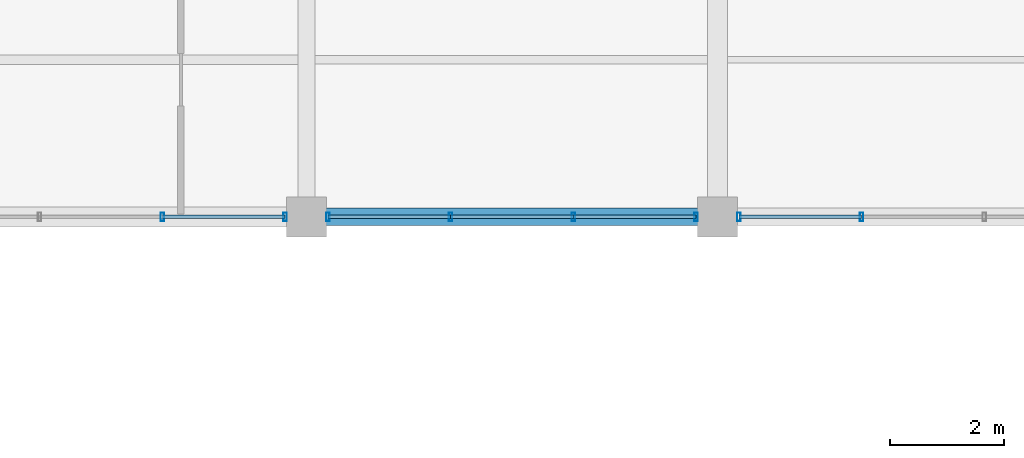
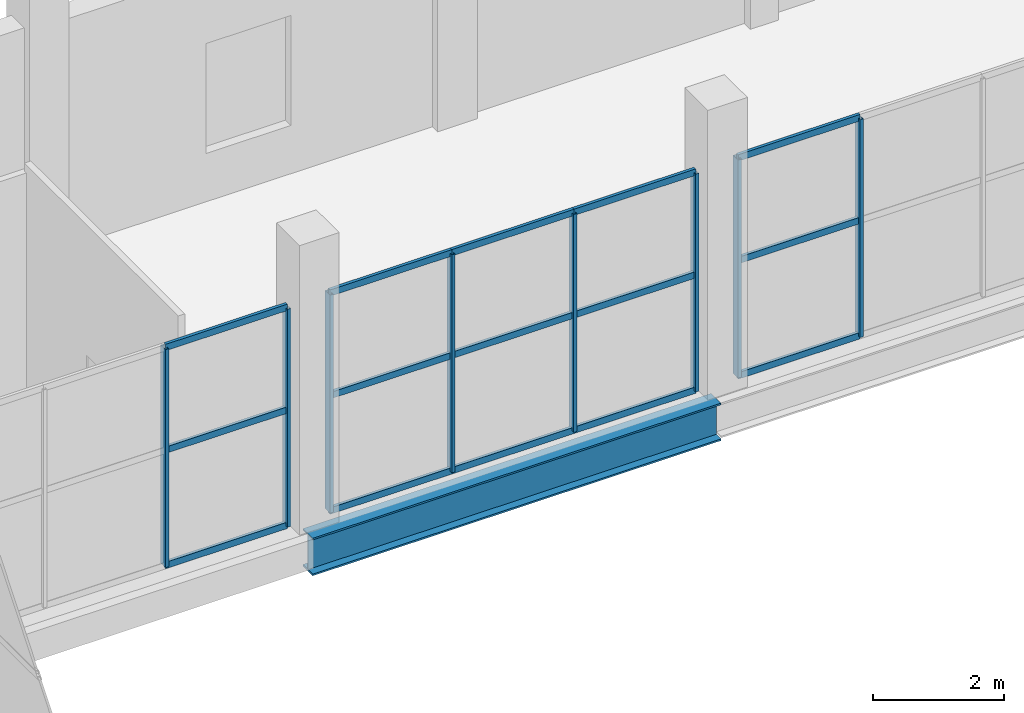
# One storey, part 107 of 147: 23 members, 1 beam, 3 elements without a shape of their own.
"""IFC4 building model written with IfcOpenShell, lengths in metres."""

from ifc_helpers import new_model, si_unit, direction, frame, origin, origin_2d, place, context, subcontext, project, spatial, hollow_rectangle, i_section, extrude, material, layer, layer_set, material_profile, profile_set, type_object, element, aggregate, save


model = new_model("IFC4")

# Units and contexts
model_context = context("Model", 3, precision=1e-05, world=origin(), true_north=direction((0.0, 1.0)))
body_context = subcontext(model_context, "Body", "Model", "MODEL_VIEW")
ifc_project = project(units=[si_unit("LENGTHUNIT", "METRE"), si_unit("AREAUNIT", "SQUARE_METRE"), si_unit("VOLUMEUNIT", "CUBIC_METRE"), si_unit("PLANEANGLEUNIT", "RADIAN"), si_unit("MASSUNIT", "GRAM", prefix="KILO")], contexts=[model_context])

# Site, building, storey
site_placement = place(None, origin())
site = spatial("IfcSite", under=ifc_project, at=site_placement, CompositionType="ELEMENT")
building_placement = place(site_placement, origin())
building = spatial("IfcBuilding", under=site, at=building_placement, Name="Sundgate Opera House", CompositionType="ELEMENT")
storey_placement = place(building_placement, frame((0.0, 0.0, 6.0)))
storey = spatial("IfcBuildingStorey", under=building, at=storey_placement, Name="L01", CompositionType="ELEMENT", Elevation=6.0)

# Beam
ifc_material_1 = material(Name="Steel S355J2", Category="steel")
ifc_material_profile_1 = material_profile(ifc_material_1, i_section(OverallWidth=0.300048828125, OverallDepth=0.699951171875, WebThickness=0.01708984375, FlangeThickness=0.031982421875, at=origin_2d()), Name="HEB 700")
ifc_profile_set_1 = profile_set([ifc_material_profile_1], Name="Steel S355J2")
beam_type = type_object("IfcBeamType", Name="BM-GR-HEB700", PredefinedType="BEAM", material=ifc_profile_set_1)
beam_placement = place(storey_placement, frame((131.39990234375, 111.75, -0.64990234375), z_axis=(1.0, 0.0, 0.0), x_axis=(0.0, 1.0, 0.0)))
element("IfcBeam", 1, at=beam_placement, inside=storey, type_object=beam_type, Name="L01 Primary E-W Girder B1446", PredefinedType="BEAM", context=body_context, shape_type="SweptSolid", body=[
    extrude(i_section(OverallWidth=0.300048828125, OverallDepth=0.699951171875, WebThickness=0.01708984375, FlangeThickness=0.031982421875, at=origin_2d()), origin(), (0.0, 0.0, 1.0), 7.2001953125),
])

# Curtain wall, members
ifc_material_2 = material(Name="Anodized aluminium and low-iron glass", Category="aluminium")
ifc_layer = layer(ifc_material_2, 0.159912109375)
ifc_layer_set = layer_set([ifc_layer], Name="Anodized aluminium and low-iron glass")
curtain_wall_type = type_object("IfcCurtainWallType", Name="CW-STUDIO-DARK", PredefinedType="NOTDEFINED", material=ifc_layer_set)
curtain_wall_1_placement = place(storey_placement, origin())
curtain_wall_1 = element("IfcCurtainWall", 2, at=curtain_wall_1_placement, inside=storey, type_object=curtain_wall_type, Name="L01 Curtain Wall CW095", PredefinedType="NOTDEFINED")
ifc_material_3 = material(Name="Anodized aluminium EN AW-6063", Category="aluminium")
ifc_material_profile_2 = material_profile(ifc_material_3, hollow_rectangle(XDim=0.06005859375, YDim=0.14990234375, WallThickness=0.00390625, at=origin_2d()), Name="CWM 150x60x4")
ifc_profile_set_2 = profile_set([ifc_material_profile_2], Name="Anodized aluminium EN AW-6063")
member_type_1 = type_object("IfcMemberType", Name="CWM-ALU-150x60", PredefinedType="MULLION", material=ifc_profile_set_2)
member_1_placement = place(storey_placement, frame((131.02490234375, 111.75, 0.0), z_axis=(0.0, 0.0, 1.0), x_axis=(1.0, 0.0, 0.0)))
member_1 = element("IfcMember", 3, at=member_1_placement, type_object=member_type_1, Name="CW095 Mullion 1", PredefinedType="MULLION", context=body_context, shape_type="SweptSolid", body=[
    extrude(hollow_rectangle(XDim=0.06005859375, YDim=0.14990234375, WallThickness=0.00390625, at=origin_2d()), origin(), (0.0, 0.0, 1.0), 4.06494140625),
])
member_2_placement = place(storey_placement, frame((128.875, 111.75, 0.0), z_axis=(0.0, 0.0, 1.0), x_axis=(1.0, 0.0, 0.0)))
member_2 = element("IfcMember", 4, at=member_2_placement, type_object=member_type_1, Name="CW095 Mullion 2", PredefinedType="MULLION", context=body_context, shape_type="SweptSolid", body=[
    extrude(hollow_rectangle(XDim=0.06005859375, YDim=0.14990234375, WallThickness=0.00390625, at=origin_2d()), origin(), (0.0, 0.0, 1.0), 4.06494140625),
])

curtain_wall_2_placement = place(storey_placement, origin())
curtain_wall_2 = element("IfcCurtainWall", 5, at=curtain_wall_2_placement, inside=storey, type_object=curtain_wall_type, Name="L01 Curtain Wall CW097", PredefinedType="NOTDEFINED")
member_3_placement = place(storey_placement, frame((138.22509765625, 111.75, 0.0), z_axis=(0.0, 0.0, 1.0), x_axis=(1.0, 0.0, 0.0)))
member_3 = element("IfcMember", 6, at=member_3_placement, type_object=member_type_1, Name="CW097 Mullion 1", PredefinedType="MULLION", context=body_context, shape_type="SweptSolid", body=[
    extrude(hollow_rectangle(XDim=0.06005859375, YDim=0.14990234375, WallThickness=0.00390625, at=origin_2d()), origin(), (0.0, 0.0, 1.0), 4.06494140625),
])
member_4_placement = place(storey_placement, frame((136.074951171875, 111.75, 0.0), z_axis=(0.0, 0.0, 1.0), x_axis=(1.0, 0.0, 0.0)))
member_4 = element("IfcMember", 7, at=member_4_placement, type_object=member_type_1, Name="CW097 Mullion 2", PredefinedType="MULLION", context=body_context, shape_type="SweptSolid", body=[
    extrude(hollow_rectangle(XDim=0.06005859375, YDim=0.14990234375, WallThickness=0.00390625, at=origin_2d()), origin(), (0.0, 0.0, 1.0), 4.06494140625),
])
member_5_placement = place(storey_placement, frame((133.925048828125, 111.75, 0.0), z_axis=(0.0, 0.0, 1.0), x_axis=(1.0, 0.0, 0.0)))
member_5 = element("IfcMember", 8, at=member_5_placement, type_object=member_type_1, Name="CW097 Mullion 3", PredefinedType="MULLION", context=body_context, shape_type="SweptSolid", body=[
    extrude(hollow_rectangle(XDim=0.06005859375, YDim=0.14990234375, WallThickness=0.00390625, at=origin_2d()), origin(), (0.0, 0.0, 1.0), 4.06494140625),
])
member_6_placement = place(storey_placement, frame((131.77490234375, 111.75, 0.0), z_axis=(0.0, 0.0, 1.0), x_axis=(1.0, 0.0, 0.0)))
member_6 = element("IfcMember", 9, at=member_6_placement, type_object=member_type_1, Name="CW097 Mullion 4", PredefinedType="MULLION", context=body_context, shape_type="SweptSolid", body=[
    extrude(hollow_rectangle(XDim=0.06005859375, YDim=0.14990234375, WallThickness=0.00390625, at=origin_2d()), origin(), (0.0, 0.0, 1.0), 4.06494140625),
])

curtain_wall_3_placement = place(storey_placement, origin())
curtain_wall_3 = element("IfcCurtainWall", 10, at=curtain_wall_3_placement, inside=storey, type_object=curtain_wall_type, Name="L01 Curtain Wall CW099", PredefinedType="NOTDEFINED")
member_7_placement = place(storey_placement, frame((141.125, 111.75, 0.0), z_axis=(0.0, 0.0, 1.0), x_axis=(1.0, 0.0, 0.0)))
member_7 = element("IfcMember", 11, at=member_7_placement, type_object=member_type_1, Name="CW099 Mullion 3", PredefinedType="MULLION", context=body_context, shape_type="SweptSolid", body=[
    extrude(hollow_rectangle(XDim=0.06005859375, YDim=0.14990234375, WallThickness=0.00390625, at=origin_2d()), origin(), (0.0, 0.0, 1.0), 4.06494140625),
])
member_8_placement = place(storey_placement, frame((138.97509765625, 111.75, 0.0), z_axis=(0.0, 0.0, 1.0), x_axis=(1.0, 0.0, 0.0)))
member_8 = element("IfcMember", 12, at=member_8_placement, type_object=member_type_1, Name="CW099 Mullion 4", PredefinedType="MULLION", context=body_context, shape_type="SweptSolid", body=[
    extrude(hollow_rectangle(XDim=0.06005859375, YDim=0.14990234375, WallThickness=0.00390625, at=origin_2d()), origin(), (0.0, 0.0, 1.0), 4.06494140625),
])

# Member
ifc_material_4 = material(Name="Anodized aluminium EN AW-6063", Category="aluminium")
ifc_material_profile_3 = material_profile(ifc_material_4, hollow_rectangle(XDim=0.054931640625, YDim=0.1201171875, WallThickness=0.00390625, at=origin_2d()), Name="CWT 120x55x4")
ifc_profile_set_3 = profile_set([ifc_material_profile_3], Name="Anodized aluminium EN AW-6063")
member_type_2 = type_object("IfcMemberType", Name="CWT-ALU-120x55", PredefinedType="USERDEFINED", material=ifc_profile_set_3)
member_9_placement = place(storey_placement, frame((131.02490234375, 111.75, 0.0), z_axis=(-1.0, 0.0, 0.0), x_axis=(0.0, -1.0, 0.0)))
member_9 = element("IfcMember", 13, at=member_9_placement, type_object=member_type_2, Name="CW095 Transom 1", ObjectType="TRANSOM", PredefinedType="USERDEFINED", context=body_context, shape_type="SweptSolid", body=[
    extrude(hollow_rectangle(XDim=0.054931640625, YDim=0.1201171875, WallThickness=0.00390625, at=origin_2d()), origin(), (0.0, 0.0, 1.0), 2.14990234375),
])

member_10_placement = place(storey_placement, frame((131.02490234375, 111.75, 2.14990234375), z_axis=(-1.0, 0.0, 0.0), x_axis=(0.0, -1.0, 0.0)))
member_10 = element("IfcMember", 14, at=member_10_placement, type_object=member_type_2, Name="CW095 Transom 2", ObjectType="TRANSOM", PredefinedType="USERDEFINED", context=body_context, shape_type="SweptSolid", body=[
    extrude(hollow_rectangle(XDim=0.054931640625, YDim=0.1201171875, WallThickness=0.00390625, at=origin_2d()), origin(), (0.0, 0.0, 1.0), 2.14990234375),
])

member_11_placement = place(storey_placement, frame((131.02490234375, 111.75, 4.06494140625), z_axis=(-1.0, 0.0, 0.0), x_axis=(0.0, -1.0, 0.0)))
member_11 = element("IfcMember", 15, at=member_11_placement, type_object=member_type_2, Name="CW095 Transom 3", ObjectType="TRANSOM", PredefinedType="USERDEFINED", context=body_context, shape_type="SweptSolid", body=[
    extrude(hollow_rectangle(XDim=0.054931640625, YDim=0.1201171875, WallThickness=0.00390625, at=origin_2d()), origin(), (0.0, 0.0, 1.0), 2.14990234375),
])

aggregate(curtain_wall_1, [member_1, member_2, member_9, member_10, member_11])

member_12_placement = place(storey_placement, frame((138.22509765625, 111.75, 0.0), z_axis=(-1.0, 0.0, 0.0), x_axis=(0.0, -1.0, 0.0)))
member_12 = element("IfcMember", 16, at=member_12_placement, type_object=member_type_2, Name="CW097 Transom 1", ObjectType="TRANSOM", PredefinedType="USERDEFINED", context=body_context, shape_type="SweptSolid", body=[
    extrude(hollow_rectangle(XDim=0.054931640625, YDim=0.1201171875, WallThickness=0.00390625, at=origin_2d()), origin(), (0.0, 0.0, 1.0), 2.150146484375),
])

member_13_placement = place(storey_placement, frame((138.22509765625, 111.75, 2.14990234375), z_axis=(-1.0, 0.0, 0.0), x_axis=(0.0, -1.0, 0.0)))
member_13 = element("IfcMember", 17, at=member_13_placement, type_object=member_type_2, Name="CW097 Transom 2", ObjectType="TRANSOM", PredefinedType="USERDEFINED", context=body_context, shape_type="SweptSolid", body=[
    extrude(hollow_rectangle(XDim=0.054931640625, YDim=0.1201171875, WallThickness=0.00390625, at=origin_2d()), origin(), (0.0, 0.0, 1.0), 2.150146484375),
])

member_14_placement = place(storey_placement, frame((138.22509765625, 111.75, 4.06494140625), z_axis=(-1.0, 0.0, 0.0), x_axis=(0.0, -1.0, 0.0)))
member_14 = element("IfcMember", 18, at=member_14_placement, type_object=member_type_2, Name="CW097 Transom 3", ObjectType="TRANSOM", PredefinedType="USERDEFINED", context=body_context, shape_type="SweptSolid", body=[
    extrude(hollow_rectangle(XDim=0.054931640625, YDim=0.1201171875, WallThickness=0.00390625, at=origin_2d()), origin(), (0.0, 0.0, 1.0), 2.150146484375),
])

member_15_placement = place(storey_placement, frame((136.074951171875, 111.75, 0.0), z_axis=(-1.0, 0.0, 0.0), x_axis=(0.0, -1.0, 0.0)))
member_15 = element("IfcMember", 19, at=member_15_placement, type_object=member_type_2, Name="CW097 Transom 4", ObjectType="TRANSOM", PredefinedType="USERDEFINED", context=body_context, shape_type="SweptSolid", body=[
    extrude(hollow_rectangle(XDim=0.054931640625, YDim=0.1201171875, WallThickness=0.00390625, at=origin_2d()), origin(), (0.0, 0.0, 1.0), 2.14990234375),
])

member_16_placement = place(storey_placement, frame((136.074951171875, 111.75, 2.14990234375), z_axis=(-1.0, 0.0, 0.0), x_axis=(0.0, -1.0, 0.0)))
member_16 = element("IfcMember", 20, at=member_16_placement, type_object=member_type_2, Name="CW097 Transom 5", ObjectType="TRANSOM", PredefinedType="USERDEFINED", context=body_context, shape_type="SweptSolid", body=[
    extrude(hollow_rectangle(XDim=0.054931640625, YDim=0.1201171875, WallThickness=0.00390625, at=origin_2d()), origin(), (0.0, 0.0, 1.0), 2.14990234375),
])

member_17_placement = place(storey_placement, frame((136.074951171875, 111.75, 4.06494140625), z_axis=(-1.0, 0.0, 0.0), x_axis=(0.0, -1.0, 0.0)))
member_17 = element("IfcMember", 21, at=member_17_placement, type_object=member_type_2, Name="CW097 Transom 6", ObjectType="TRANSOM", PredefinedType="USERDEFINED", context=body_context, shape_type="SweptSolid", body=[
    extrude(hollow_rectangle(XDim=0.054931640625, YDim=0.1201171875, WallThickness=0.00390625, at=origin_2d()), origin(), (0.0, 0.0, 1.0), 2.14990234375),
])

member_18_placement = place(storey_placement, frame((133.925048828125, 111.75, 0.0), z_axis=(-1.0, 0.0, 0.0), x_axis=(0.0, -1.0, 0.0)))
member_18 = element("IfcMember", 22, at=member_18_placement, type_object=member_type_2, Name="CW097 Transom 7", ObjectType="TRANSOM", PredefinedType="USERDEFINED", context=body_context, shape_type="SweptSolid", body=[
    extrude(hollow_rectangle(XDim=0.054931640625, YDim=0.1201171875, WallThickness=0.00390625, at=origin_2d()), origin(), (0.0, 0.0, 1.0), 2.150146484375),
])

member_19_placement = place(storey_placement, frame((133.925048828125, 111.75, 2.14990234375), z_axis=(-1.0, 0.0, 0.0), x_axis=(0.0, -1.0, 0.0)))
member_19 = element("IfcMember", 23, at=member_19_placement, type_object=member_type_2, Name="CW097 Transom 8", ObjectType="TRANSOM", PredefinedType="USERDEFINED", context=body_context, shape_type="SweptSolid", body=[
    extrude(hollow_rectangle(XDim=0.054931640625, YDim=0.1201171875, WallThickness=0.00390625, at=origin_2d()), origin(), (0.0, 0.0, 1.0), 2.150146484375),
])

member_20_placement = place(storey_placement, frame((133.925048828125, 111.75, 4.06494140625), z_axis=(-1.0, 0.0, 0.0), x_axis=(0.0, -1.0, 0.0)))
member_20 = element("IfcMember", 24, at=member_20_placement, type_object=member_type_2, Name="CW097 Transom 9", ObjectType="TRANSOM", PredefinedType="USERDEFINED", context=body_context, shape_type="SweptSolid", body=[
    extrude(hollow_rectangle(XDim=0.054931640625, YDim=0.1201171875, WallThickness=0.00390625, at=origin_2d()), origin(), (0.0, 0.0, 1.0), 2.150146484375),
])

aggregate(curtain_wall_2, [member_3, member_4, member_5, member_6, member_12, member_13, member_14, member_15, member_16, member_17, member_18, member_19, member_20])

member_21_placement = place(storey_placement, frame((141.125, 111.75, 0.0), z_axis=(-1.0, 0.0, 0.0), x_axis=(0.0, -1.0, 0.0)))
member_21 = element("IfcMember", 25, at=member_21_placement, type_object=member_type_2, Name="CW099 Transom 7", ObjectType="TRANSOM", PredefinedType="USERDEFINED", context=body_context, shape_type="SweptSolid", body=[
    extrude(hollow_rectangle(XDim=0.054931640625, YDim=0.1201171875, WallThickness=0.00390625, at=origin_2d()), origin(), (0.0, 0.0, 1.0), 2.14990234375),
])

member_22_placement = place(storey_placement, frame((141.125, 111.75, 2.14990234375), z_axis=(-1.0, 0.0, 0.0), x_axis=(0.0, -1.0, 0.0)))
member_22 = element("IfcMember", 26, at=member_22_placement, type_object=member_type_2, Name="CW099 Transom 8", ObjectType="TRANSOM", PredefinedType="USERDEFINED", context=body_context, shape_type="SweptSolid", body=[
    extrude(hollow_rectangle(XDim=0.054931640625, YDim=0.1201171875, WallThickness=0.00390625, at=origin_2d()), origin(), (0.0, 0.0, 1.0), 2.14990234375),
])

member_23_placement = place(storey_placement, frame((141.125, 111.75, 4.06494140625), z_axis=(-1.0, 0.0, 0.0), x_axis=(0.0, -1.0, 0.0)))
member_23 = element("IfcMember", 27, at=member_23_placement, type_object=member_type_2, Name="CW099 Transom 9", ObjectType="TRANSOM", PredefinedType="USERDEFINED", context=body_context, shape_type="SweptSolid", body=[
    extrude(hollow_rectangle(XDim=0.054931640625, YDim=0.1201171875, WallThickness=0.00390625, at=origin_2d()), origin(), (0.0, 0.0, 1.0), 2.14990234375),
])

aggregate(curtain_wall_3, [member_7, member_8, member_21, member_22, member_23])

save(model, "model.ifc")
